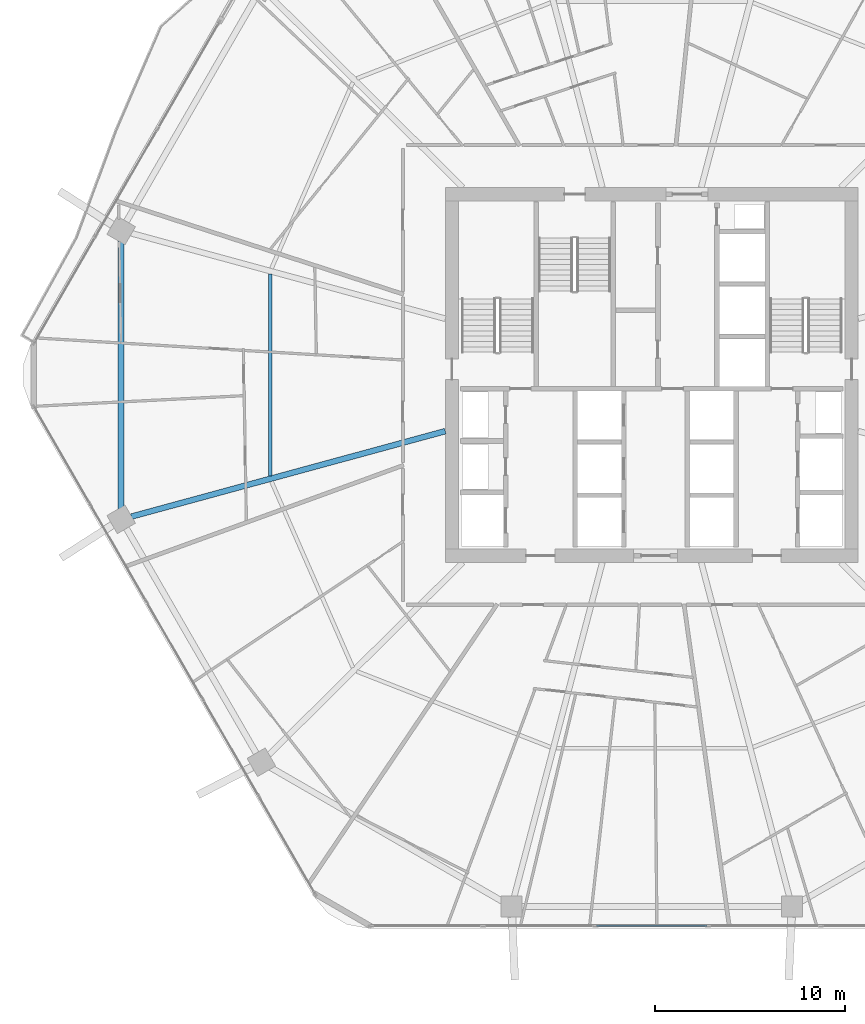
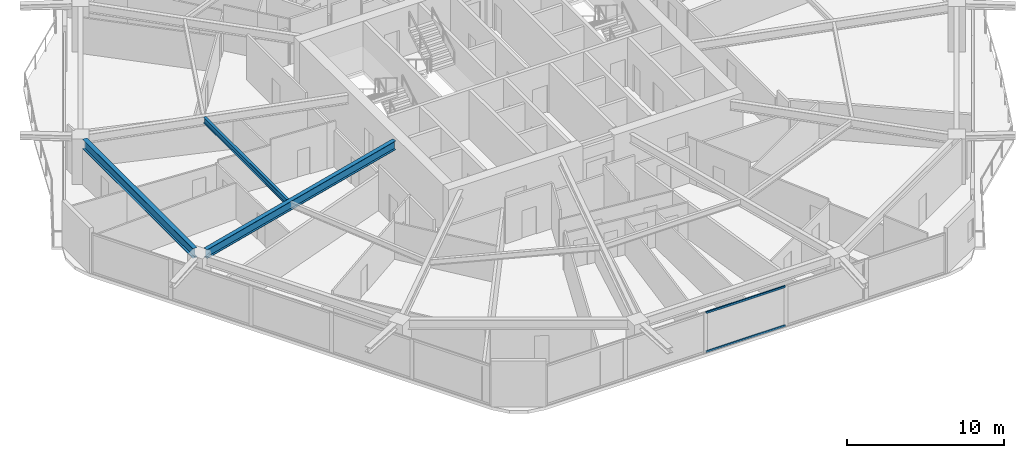
# One storey, part 6 of 33: 3 beams, 2 members, 1 element without a shape of its own.
"""IFC4 building model written with IfcOpenShell, lengths in metres."""

from ifc_helpers import new_model, si_unit, direction, frame, origin, origin_2d, place, context, subcontext, project, spatial, hollow_rectangle, i_section, extrude, material, material_profile, profile_set, type_object, element, aggregate, save


model = new_model("IFC4")

# Units and contexts
model_context = context("Model", 3, precision=1e-05, world=origin(), true_north=direction((0.0, 1.0)))
body_context = subcontext(model_context, "Body", "Model", "MODEL_VIEW")
ifc_project = project(units=[si_unit("LENGTHUNIT", "METRE"), si_unit("AREAUNIT", "SQUARE_METRE"), si_unit("VOLUMEUNIT", "CUBIC_METRE"), si_unit("PLANEANGLEUNIT", "RADIAN"), si_unit("MASSUNIT", "GRAM", prefix="KILO")], contexts=[model_context])

# Site, building, storey
site_placement = place(None, origin())
site = spatial("IfcSite", under=ifc_project, at=site_placement, CompositionType="ELEMENT")
building_placement = place(site_placement, origin())
building = spatial("IfcBuilding", under=site, at=building_placement, Name="Zuhravey Tower", CompositionType="ELEMENT")
storey_placement = place(building_placement, frame((0.0, 0.0, 96.199951171875)))
storey = spatial("IfcBuildingStorey", under=building, at=storey_placement, Name="L23", CompositionType="ELEMENT", Elevation=96.199951171875)

# Curtain wall, members
ifc_material_1 = material(Name="Thermally broken anodised aluminium", Category="aluminium")
curtain_wall_type = type_object("IfcCurtainWallType", Name="Zone 1-2 Residential Curtain Wall CW3", PredefinedType="NOTDEFINED", material=ifc_material_1)
curtain_wall_placement = place(storey_placement, origin())
curtain_wall = element("IfcCurtainWall", 1, at=curtain_wall_placement, inside=storey, type_object=curtain_wall_type, Name="L23 CW3 CW-L23-F5-1", PredefinedType="NOTDEFINED")
ifc_material_2 = material(Name="Anodised aluminium", Category="aluminium")
ifc_material_profile_1 = material_profile(ifc_material_2, hollow_rectangle(XDim=0.090087890625, YDim=0.14990234375, WallThickness=0.0048828125, at=origin_2d()), Name="ALU-RHS-90x150x5")
ifc_profile_set_1 = profile_set([ifc_material_profile_1], Name="Anodised aluminium")
member_type = type_object("IfcMemberType", Name="Curtain-Wall Transom 90x150", PredefinedType="USERDEFINED", material=ifc_profile_set_1)
member_1_placement = place(storey_placement, frame((38.914794921875, 3.04150390625, 0.045166015625), z_axis=(-1.0, 0.0, 0.0), x_axis=(0.0, -1.0, 0.0)))
member_1 = element("IfcMember", 2, at=member_1_placement, type_object=member_type, Name="CW3 transom 3.1", ObjectType="TRANSOM", PredefinedType="USERDEFINED", context=body_context, shape_type="SweptSolid", body=[
    extrude(hollow_rectangle(XDim=0.090087890625, YDim=0.14990234375, WallThickness=0.0048828125, at=origin_2d()), origin(), (0.0, 0.0, 1.0), 5.82958984375),
])
member_2_placement = place(storey_placement, frame((38.914794921875, 3.04150390625, 3.0771484375), z_axis=(-1.0, 0.0, 0.0), x_axis=(0.0, -1.0, 0.0)))
member_2 = element("IfcMember", 3, at=member_2_placement, type_object=member_type, Name="CW3 transom 3.2", ObjectType="TRANSOM", PredefinedType="USERDEFINED", context=body_context, shape_type="SweptSolid", body=[
    extrude(hollow_rectangle(XDim=0.090087890625, YDim=0.14990234375, WallThickness=0.0048828125, at=origin_2d()), origin(), (0.0, 0.0, 1.0), 5.82958984375),
])
aggregate(curtain_wall, [member_1, member_2])

# Beams
ifc_material_3 = material(Name="Steel SM355", Category="steel")
ifc_material_profile_2 = material_profile(ifc_material_3, i_section(OverallWidth=0.320068359375, OverallDepth=0.75, WebThickness=0.013916015625, FlangeThickness=0.02490234375, at=origin_2d()), Name="H-750x320x14x25")
ifc_profile_set_2 = profile_set([ifc_material_profile_2], Name="Steel SM355")
beam_type_1 = type_object("IfcBeamType", Name="Perimeter Ring Beam H750x320", PredefinedType="BEAM", material=ifc_profile_set_2)
beam_1_placement = place(storey_placement, frame((8.11083984375, 39.03857421875, 3.175048828125), z_axis=(0.0, -1.0, 0.0), x_axis=(1.0, 0.0, 0.0)))
element("IfcBeam", 4, at=beam_1_placement, inside=storey, type_object=beam_type_1, Name="L23 PB1 BM-L23-PB-06", PredefinedType="BEAM", context=body_context, shape_type="SweptSolid", body=[
    extrude(i_section(OverallWidth=0.320068359375, OverallDepth=0.75, WebThickness=0.013916015625, FlangeThickness=0.02490234375, at=origin_2d()), origin(), (0.0, 0.0, 1.0), 14.0771484375),
])
ifc_material_profile_3 = material_profile(ifc_material_3, i_section(OverallWidth=0.300048828125, OverallDepth=0.699951171875, WebThickness=0.012939453125, FlangeThickness=0.02392578125, at=origin_2d()), Name="H-700x300x13x24")
ifc_profile_set_3 = profile_set([ifc_material_profile_3], Name="Steel SM355")
beam_type_2 = type_object("IfcBeamType", Name="Radial Primary Girder H700x300", PredefinedType="BEAM", material=ifc_profile_set_3)
beam_2_placement = place(storey_placement, frame((25.14697265625, 29.045654296875, 3.199951171875), z_axis=(-0.964893166225, -0.262642680791, 0.0), x_axis=(0.262642680791, -0.964893166225, 0.0)))
element("IfcBeam", 5, at=beam_2_placement, inside=storey, type_object=beam_type_2, Name="L23 RG1 BM-L23-RAD-07", PredefinedType="BEAM", context=body_context, shape_type="SweptSolid", body=[
    extrude(i_section(OverallWidth=0.300048828125, OverallDepth=0.699951171875, WebThickness=0.012939453125, FlangeThickness=0.02392578125, at=origin_2d()), origin(), (0.0, 0.0, 1.0), 17.102783203125),
])
ifc_material_profile_4 = material_profile(ifc_material_3, i_section(OverallWidth=0.199951171875, OverallDepth=0.449951171875, WebThickness=0.009033203125, FlangeThickness=0.013916015625, at=origin_2d()), Name="H-450x200x9x14")
ifc_profile_set_4 = profile_set([ifc_material_profile_4], Name="Steel SM355")
beam_type_3 = type_object("IfcBeamType", Name="Secondary Floor Joist H450x200", PredefinedType="JOIST", material=ifc_profile_set_4)
beam_3_placement = place(storey_placement, frame((15.947509765625, 37.304443359375, 3.324951171875), z_axis=(0.0, -1.0, 0.0), x_axis=(1.0, 0.0, 0.0)))
element("IfcBeam", 6, at=beam_3_placement, inside=storey, type_object=beam_type_3, Name="L23 SJ1 BM-L23-SJ-06-1", PredefinedType="JOIST", context=body_context, shape_type="SweptSolid", body=[
    extrude(i_section(OverallWidth=0.199951171875, OverallDepth=0.449951171875, WebThickness=0.009033203125, FlangeThickness=0.013916015625, at=origin_2d()), origin(), (0.0, 0.0, 1.0), 10.60888671875),
])

save(model, "model.ifc")
